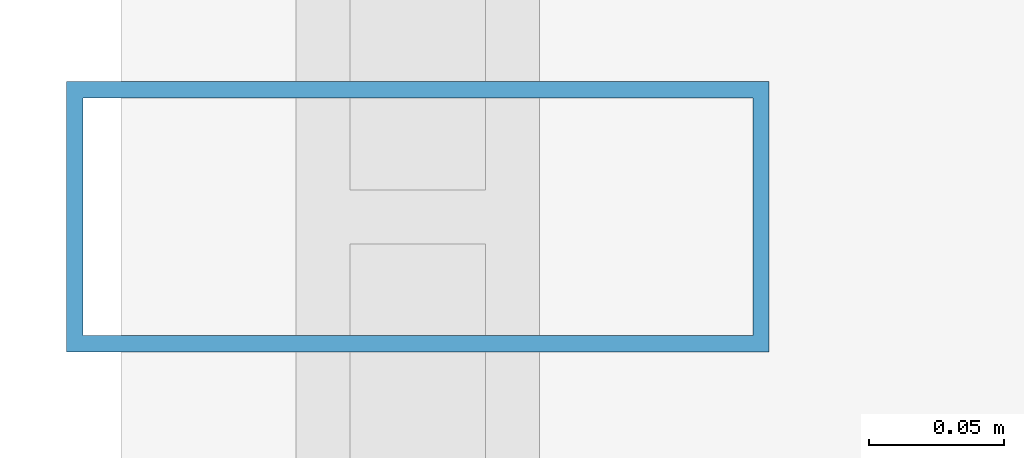
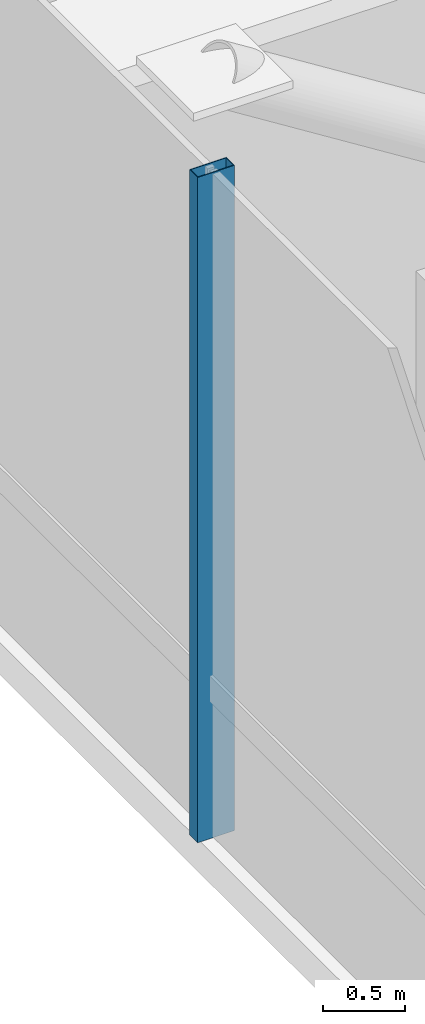
# One storey, part 3 of 13: 1 member, 1 element without a shape of its own.
"""IFC4 building model written with IfcOpenShell, lengths in metres."""

from ifc_helpers import new_model, si_unit, direction, frame, origin, origin_2d, place, context, subcontext, project, spatial, hollow_rectangle, extrude, source, transform, mapped, material, material_profile, profile_set, type_object, element, aggregate, save


model = new_model("IFC4")

# Units and contexts
model_context = context("Model", 3, precision=1e-05, world=origin(), true_north=direction((0.0, 1.0)))
body_context = subcontext(model_context, "Body", "Model", "MODEL_VIEW")
ifc_project = project(units=[si_unit("LENGTHUNIT", "METRE"), si_unit("AREAUNIT", "SQUARE_METRE"), si_unit("VOLUMEUNIT", "CUBIC_METRE"), si_unit("PLANEANGLEUNIT", "RADIAN"), si_unit("MASSUNIT", "GRAM", prefix="KILO")], contexts=[model_context])

# Site, building, storey
site_placement = place(None, origin())
site = spatial("IfcSite", under=ifc_project, at=site_placement, CompositionType="ELEMENT")
building_placement = place(site_placement, origin())
building = spatial("IfcBuilding", under=site, at=building_placement, Name="Valdorenza Pilgrim Sanctuary Tower", CompositionType="ELEMENT")
storey_placement = place(building_placement, frame((0.0, 0.0, 294.199951171875)))
storey = spatial("IfcBuildingStorey", under=building, at=storey_placement, Name="L77", CompositionType="ELEMENT", Elevation=294.199951171875)

# Curtain wall, member
ifc_material_1 = material(Name="Curtain-wall IGU glazing", Category="glass")
curtain_wall_type = type_object("IfcCurtainWallType", Name="CW-SYS-06", PredefinedType="NOTDEFINED", material=ifc_material_1)
curtain_wall_placement = place(storey_placement, origin())
curtain_wall = element("IfcCurtainWall", 1, at=curtain_wall_placement, inside=storey, type_object=curtain_wall_type, Name="L77 Curtain Wall CW-L77-1-1", PredefinedType="NOTDEFINED")
ifc_material_2 = material(Name="Anodised aluminium AW-6060", Category="aluminium")
ifc_material_profile = material_profile(ifc_material_2, hollow_rectangle(XDim=0.10009765625, YDim=0.260009765625, WallThickness=0.006103515625, at=origin_2d()), Name="ALU-M 260x100x6")
ifc_profile_set = profile_set([ifc_material_profile], Name="Anodised aluminium AW-6060")
member_type = type_object("IfcMemberType", Name="CW-MUL-06", PredefinedType="MULLION", material=ifc_profile_set)
shared_shape = source(origin(), body_context, "Body", "SweptSolid", [
    extrude(hollow_rectangle(XDim=0.10009765625, YDim=0.260009765625, WallThickness=0.006103515625, at=origin_2d()), origin(), (0.0, 0.0, 1.0), 4.9599609375),
])
member_placement = place(storey_placement, frame((-30.5400390625, 1.35009765625, 0.0), z_axis=(0.0, 0.0, 1.0), x_axis=(0.0, 1.0, 0.0)))
member = element("IfcMember", 2, at=member_placement, type_object=member_type, Name="CW-L77-1-1 Mullion 3", PredefinedType="MULLION", context=body_context, shape_type="MappedRepresentation", body=[
    mapped(shared_shape, transform((0.0, 0.0, 0.0), x_axis=(1.0, 0.0, 0.0), y_axis=(0.0, 1.0, 0.0), z_axis=(0.0, 0.0, 1.0), scale=1.0)),
])
aggregate(curtain_wall, [member])

save(model, "model.ifc")
